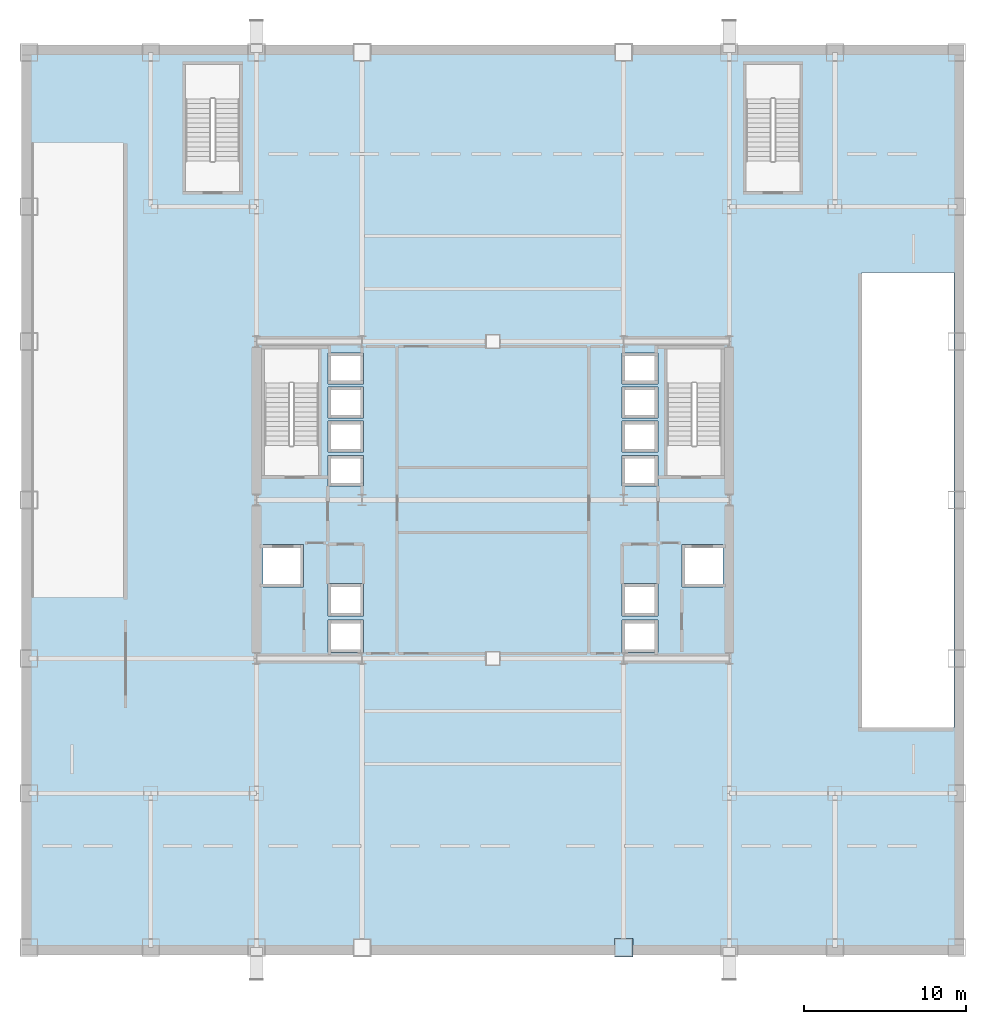
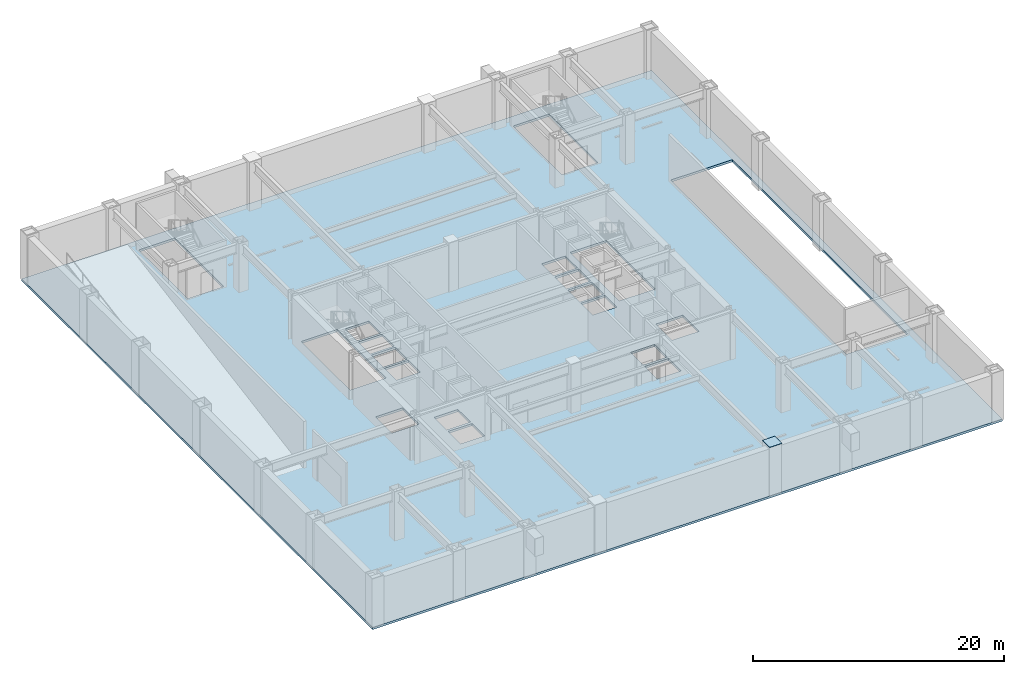
# One storey, part 3 of 10: 1 plate, 1 slab.
"""IFC4 building model written with IfcOpenShell, lengths in metres."""

from ifc_helpers import new_model, si_unit, direction, frame, origin, origin_2d, place, context, subcontext, project, spatial, polyline, rectangle, outline, extrude, material, layer, layer_set, type_object, element, save


model = new_model("IFC4")

# Units and contexts
model_context = context("Model", 3, precision=1e-05, world=origin(), true_north=direction((0.0, 1.0)))
body_context = subcontext(model_context, "Body", "Model", "MODEL_VIEW")
ifc_project = project(units=[si_unit("LENGTHUNIT", "METRE"), si_unit("AREAUNIT", "SQUARE_METRE"), si_unit("VOLUMEUNIT", "CUBIC_METRE"), si_unit("PLANEANGLEUNIT", "RADIAN"), si_unit("MASSUNIT", "GRAM", prefix="KILO")], contexts=[model_context])

# Site, building, storey
site_placement = place(None, origin())
site = spatial("IfcSite", under=ifc_project, at=site_placement, CompositionType="ELEMENT")
building_placement = place(site_placement, origin())
building = spatial("IfcBuilding", under=site, at=building_placement, Name="Brelmoor Portico Tower", CompositionType="ELEMENT")
storey_placement = place(building_placement, frame((0.0, 0.0, -4.800048828125)))
storey = spatial("IfcBuildingStorey", under=building, at=storey_placement, Name="B1", CompositionType="ELEMENT", Elevation=-4.800048828125)

# Plate
ifc_material_1 = material(Name="Steel Q355B", Category="steel")
ifc_layer_1 = layer(ifc_material_1, 0.044921875)
ifc_layer_set_1 = layer_set([ifc_layer_1], Name="Steel Q355B")
plate_type = type_object("IfcPlateType", Name="PT-CAP-650", PredefinedType="SHEET", material=ifc_layer_set_1)
plate_placement = place(storey_placement, frame((8.050048828125, -27.550048828125, 4.800048828125), z_axis=(0.0, 0.0, 1.0), x_axis=(1.0, 0.0, 0.0)))
element("IfcPlate", 1, at=plate_placement, inside=storey, type_object=plate_type, Name="B1 Perimeter Mega-Column PS05 Welded Head Cap Plate", PredefinedType="SHEET", context=body_context, shape_type="SweptSolid", body=[
    extrude(rectangle(XDim=1.139892578125, YDim=1.139892578125, at=origin_2d()), origin(), (0.0, 0.0, 1.0), 0.0400390625),
])

# Slab
ifc_material_2 = material(Name="Concrete C40", Category="concrete")
ifc_layer_2 = layer(ifc_material_2, 0.219970703125)
ifc_layer_set_2 = layer_set([ifc_layer_2], Name="Concrete C40")
slab_type = type_object("IfcSlabType", Name="SL-FLOOR-220", PredefinedType="FLOOR", material=ifc_layer_set_2)
slab_placement = place(storey_placement, frame((0.0, 0.0, -0.219970703125)))
element("IfcSlab", 2, at=slab_placement, inside=storey, type_object=slab_type, Name="B1 Main Structural Floor Slab", PredefinedType="FLOOR", context=body_context, shape_type="SweptSolid", body=[
    extrude(outline(polyline([(-29.0, -28.0), (29.0, -28.0), (29.0, 28.0), (-29.0, 28.0), (-29.0, -28.0)]), holes=[polyline([(-10.72998046875, 1.5), (-10.72998046875, 9.300048828125), (-14.050048828125, 9.300048828125), (-14.050048828125, 1.5), (-10.72998046875, 1.5)]), polyline([(14.050048828125, 1.5), (14.050048828125, 9.300048828125), (10.72998046875, 9.300048828125), (10.72998046875, 1.5), (14.050048828125, 1.5)]), polyline([(-15.580078125, 19.0), (-15.580078125, 26.800048828125), (-18.89990234375, 26.800048828125), (-18.89990234375, 19.0), (-15.580078125, 19.0)]), polyline([(18.89990234375, 19.0), (18.89990234375, 26.800048828125), (15.580078125, 26.800048828125), (15.580078125, 19.0), (18.89990234375, 19.0)]), polyline([(-10.14990234375, 0.85009765625), (-7.949951171875, 0.85009765625), (-7.949951171875, 2.75), (-10.14990234375, 2.75), (-10.14990234375, 0.85009765625)]), polyline([(-10.14990234375, 2.949951171875), (-7.949951171875, 2.949951171875), (-7.949951171875, 4.85009765625), (-10.14990234375, 4.85009765625), (-10.14990234375, 2.949951171875)]), polyline([(-10.14990234375, 5.050048828125), (-7.949951171875, 5.050048828125), (-7.949951171875, 6.949951171875), (-10.14990234375, 6.949951171875), (-10.14990234375, 5.050048828125)]), polyline([(-10.14990234375, 7.14990234375), (-7.949951171875, 7.14990234375), (-7.949951171875, 9.050048828125), (-10.14990234375, 9.050048828125), (-10.14990234375, 7.14990234375)]), polyline([(7.949951171875, 0.85009765625), (10.14990234375, 0.85009765625), (10.14990234375, 2.75), (7.949951171875, 2.75), (7.949951171875, 0.85009765625)]), polyline([(7.949951171875, 2.949951171875), (10.14990234375, 2.949951171875), (10.14990234375, 4.85009765625), (7.949951171875, 4.85009765625), (7.949951171875, 2.949951171875)]), polyline([(7.949951171875, 5.050048828125), (10.14990234375, 5.050048828125), (10.14990234375, 6.949951171875), (7.949951171875, 6.949951171875), (7.949951171875, 5.050048828125)]), polyline([(7.949951171875, 7.14990234375), (10.14990234375, 7.14990234375), (10.14990234375, 9.050048828125), (7.949951171875, 9.050048828125), (7.949951171875, 7.14990234375)]), polyline([(-10.14990234375, -9.39990234375), (-7.949951171875, -9.39990234375), (-7.949951171875, -7.39990234375), (-10.14990234375, -7.39990234375), (-10.14990234375, -9.39990234375)]), polyline([(-10.14990234375, -7.14990234375), (-7.949951171875, -7.14990234375), (-7.949951171875, -5.14990234375), (-10.14990234375, -5.14990234375), (-10.14990234375, -7.14990234375)]), polyline([(7.949951171875, -9.39990234375), (10.14990234375, -9.39990234375), (10.14990234375, -7.39990234375), (7.949951171875, -7.39990234375), (7.949951171875, -9.39990234375)]), polyline([(7.949951171875, -7.14990234375), (10.14990234375, -7.14990234375), (10.14990234375, -5.14990234375), (7.949951171875, -5.14990234375), (7.949951171875, -7.14990234375)]), polyline([(-14.14990234375, -5.35009765625), (-11.64990234375, -5.35009765625), (-11.64990234375, -2.75), (-14.14990234375, -2.75), (-14.14990234375, -5.35009765625)]), polyline([(11.64990234375, -5.35009765625), (14.14990234375, -5.35009765625), (14.14990234375, -2.75), (11.64990234375, -2.75), (11.64990234375, -5.35009765625)]), polyline([(22.719970703125, -14.0), (28.3798828125, -14.0), (28.3798828125, 14.0), (22.719970703125, 14.0), (22.719970703125, -14.0)])]), origin(), (0.0, 0.0, 1.0), 0.219970703125),
])

save(model, "model.ifc")
